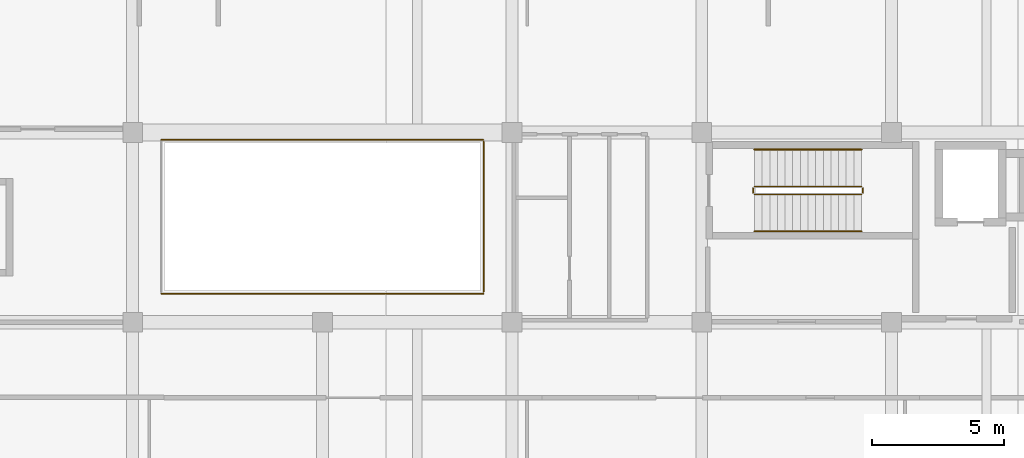
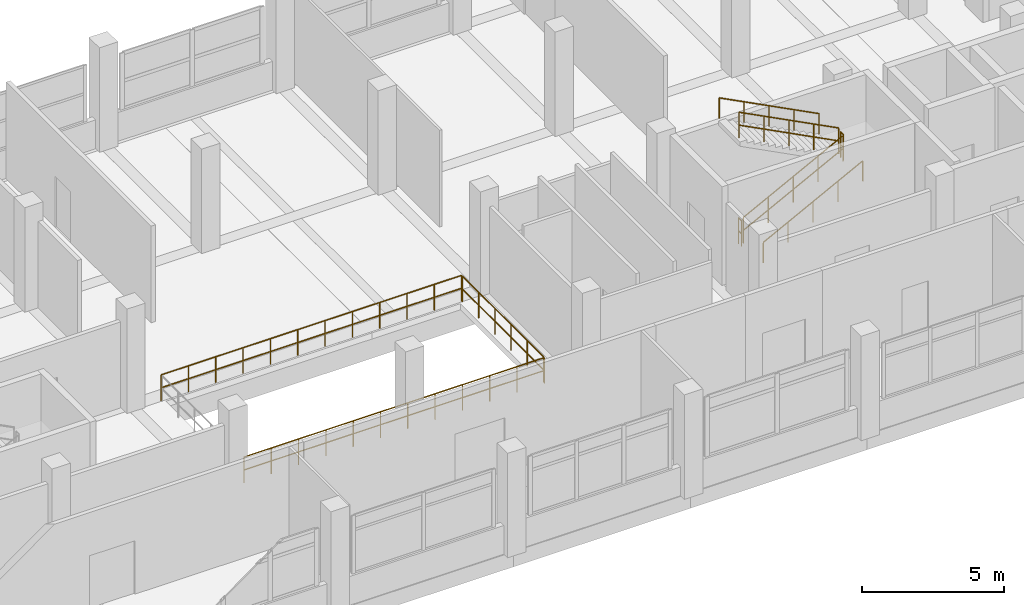
# One storey, part 137 of 141: 9 railings.
"""IFC4 building model written with IfcOpenShell, lengths in metres."""

from ifc_helpers import new_model, si_unit, direction, frame, origin, origin_2d, place, context, subcontext, project, spatial, circle, extrude, material, type_object, element, save


model = new_model("IFC4")

# Units and contexts
model_context = context("Model", 3, precision=1e-05, world=origin(), true_north=direction((0.0, 1.0)))
body_context = subcontext(model_context, "Body", "Model", "MODEL_VIEW")
ifc_project = project(units=[si_unit("LENGTHUNIT", "METRE"), si_unit("AREAUNIT", "SQUARE_METRE"), si_unit("VOLUMEUNIT", "CUBIC_METRE"), si_unit("PLANEANGLEUNIT", "RADIAN"), si_unit("MASSUNIT", "GRAM", prefix="KILO")], contexts=[model_context])

# Site, building, storey
site_placement = place(None, origin())
site = spatial("IfcSite", under=ifc_project, at=site_placement, CompositionType="ELEMENT")
building_placement = place(site_placement, origin())
building = spatial("IfcBuilding", under=site, at=building_placement, Name="Seraya Terrace Polytechnic", CompositionType="ELEMENT")
storey_placement = place(building_placement, frame((0.0, 0.0, 14.39990234375)))
storey = spatial("IfcBuildingStorey", under=building, at=storey_placement, Name="L03", CompositionType="ELEMENT", Elevation=14.39990234375)

# Railings
ifc_material = material(Name="Steel S355J2", Category="steel")
railing_type_1 = type_object("IfcRailingType", Name="GR-02", PredefinedType="GUARDRAIL", material=ifc_material)
railing_1_placement = place(storey_placement, frame((81.199951171875, 12.050048828125, 0.150146484375)))
element("IfcRailing", 1, at=railing_1_placement, inside=storey, type_object=railing_type_1, Name="L03 ST-01 stair guard 1", PredefinedType="GUARDRAIL", context=body_context, shape_type="SweptSolid", body=[
    extrude(circle(Radius=0.02392578125, at=origin_2d()), frame((0.0, 0.0, 1.10595703125), z_axis=(0.888233425583, 0.0, 0.459392404897), x_axis=(0.0, 1.0, 0.0)), (0.0, 0.0, 1.0), 4.571044921875),
    extrude(circle(Radius=0.02392578125, at=origin_2d()), frame((0.0, 0.0, 0.550048828125), z_axis=(0.888233425583, 0.0, 0.459392404897), x_axis=(0.0, 1.0, 0.0)), (0.0, 0.0, 1.0), 4.571044921875),
    extrude(circle(Radius=0.02099609375, at=origin_2d()), origin(), (0.0, 0.0, 1.0), 1.081787109375),
    extrude(circle(Radius=0.02099609375, at=origin_2d()), frame((1.01513671875, 0.0, 0.52490234375)), (0.0, 0.0, 1.0), 1.081787109375),
    extrude(circle(Radius=0.02099609375, at=origin_2d()), frame((2.030029296875, 0.0, 1.0498046875)), (0.0, 0.0, 1.0), 1.081787109375),
    extrude(circle(Radius=0.02099609375, at=origin_2d()), frame((3.044921875, 0.0, 1.574951171875)), (0.0, 0.0, 1.0), 1.081787109375),
    extrude(circle(Radius=0.02099609375, at=origin_2d()), frame((4.06005859375, 0.0, 2.099853515625)), (0.0, 0.0, 1.0), 1.081787109375),
])
railing_2_placement = place(storey_placement, frame((85.31005859375, 12.10009765625, 2.25)))
element("IfcRailing", 2, at=railing_2_placement, inside=storey, type_object=railing_type_1, Name="L03 ST-01 stair guard 2", PredefinedType="GUARDRAIL", context=body_context, shape_type="SweptSolid", body=[
    extrude(circle(Radius=0.02392578125, at=origin_2d()), frame((0.0, 0.0, 1.10595703125), z_axis=(0.0, 1.0, 0.0), x_axis=(-1.0, 0.0, 0.0)), (0.0, 0.0, 1.0), 0.199951171875),
    extrude(circle(Radius=0.02392578125, at=origin_2d()), frame((0.0, 0.0, 0.550048828125), z_axis=(0.0, 1.0, 0.0), x_axis=(-1.0, 0.0, 0.0)), (0.0, 0.0, 1.0), 0.199951171875),
    extrude(circle(Radius=0.02099609375, at=origin_2d()), origin(), (0.0, 0.0, 1.0), 1.081787109375),
    extrude(circle(Radius=0.02099609375, at=origin_2d()), frame((0.0, 0.199951171875, 0.0)), (0.0, 0.0, 1.0), 1.081787109375),
])
railing_3_placement = place(storey_placement, frame((85.260009765625, 12.35009765625, 2.400146484375)))
element("IfcRailing", 3, at=railing_3_placement, inside=storey, type_object=railing_type_1, Name="L03 ST-01 stair guard 3", PredefinedType="GUARDRAIL", context=body_context, shape_type="SweptSolid", body=[
    extrude(circle(Radius=0.02392578125, at=origin_2d()), frame((0.0, 0.0, 1.10595703125), z_axis=(-0.888233425583, 0.0, 0.459392404897), x_axis=(0.0, -1.0, 0.0)), (0.0, 0.0, 1.0), 4.571044921875),
    extrude(circle(Radius=0.02392578125, at=origin_2d()), frame((0.0, 0.0, 0.550048828125), z_axis=(-0.888233425583, 0.0, 0.459392404897), x_axis=(0.0, -1.0, 0.0)), (0.0, 0.0, 1.0), 4.571044921875),
    extrude(circle(Radius=0.02099609375, at=origin_2d()), origin(), (0.0, 0.0, 1.0), 1.081787109375),
    extrude(circle(Radius=0.02099609375, at=origin_2d()), frame((-1.01513671875, 0.0, 0.52490234375)), (0.0, 0.0, 1.0), 1.081787109375),
    extrude(circle(Radius=0.02099609375, at=origin_2d()), frame((-2.030029296875, 0.0, 1.0498046875)), (0.0, 0.0, 1.0), 1.081787109375),
    extrude(circle(Radius=0.02099609375, at=origin_2d()), frame((-3.044921875, 0.0, 1.574951171875)), (0.0, 0.0, 1.0), 1.081787109375),
    extrude(circle(Radius=0.02099609375, at=origin_2d()), frame((-4.06005859375, 0.0, 2.099853515625)), (0.0, 0.0, 1.0), 1.081787109375),
])
railing_4_placement = place(storey_placement, frame((81.14990234375, 12.10009765625, 0.0)))
element("IfcRailing", 4, at=railing_4_placement, inside=storey, type_object=railing_type_1, Name="L03 ST-01 stair guard 4", PredefinedType="GUARDRAIL", context=body_context, shape_type="SweptSolid", body=[
    extrude(circle(Radius=0.02392578125, at=origin_2d()), frame((0.0, 0.0, 1.10595703125), z_axis=(0.0, 1.0, 0.0), x_axis=(-1.0, 0.0, 0.0)), (0.0, 0.0, 1.0), 0.199951171875),
    extrude(circle(Radius=0.02392578125, at=origin_2d()), frame((0.0, 0.0, 0.550048828125), z_axis=(0.0, 1.0, 0.0), x_axis=(-1.0, 0.0, 0.0)), (0.0, 0.0, 1.0), 0.199951171875),
    extrude(circle(Radius=0.02099609375, at=origin_2d()), origin(), (0.0, 0.0, 1.0), 1.081787109375),
    extrude(circle(Radius=0.02099609375, at=origin_2d()), frame((0.0, 0.199951171875, 0.0)), (0.0, 0.0, 1.0), 1.081787109375),
])
railing_5_placement = place(storey_placement, frame((58.679931640625, 8.280029296875, 0.0)))
element("IfcRailing", 5, at=railing_5_placement, inside=storey, type_object=railing_type_1, Name="Atrium void perimeter guardrail VOID-LIB-L03 S", PredefinedType="GUARDRAIL", context=body_context, shape_type="SweptSolid", body=[
    extrude(circle(Radius=0.02392578125, at=origin_2d()), frame((0.0, 0.0, 1.10595703125), z_axis=(1.0, 0.0, 0.0), x_axis=(0.0, 1.0, 0.0)), (0.0, 0.0, 1.0), 12.239990234375),
    extrude(circle(Radius=0.02392578125, at=origin_2d()), frame((0.0, 0.0, 0.550048828125), z_axis=(1.0, 0.0, 0.0), x_axis=(0.0, 1.0, 0.0)), (0.0, 0.0, 1.0), 12.239990234375),
    extrude(circle(Radius=0.02099609375, at=origin_2d()), origin(), (0.0, 0.0, 1.0), 1.081787109375),
    extrude(circle(Radius=0.02099609375, at=origin_2d()), frame((1.11279296875, 0.0, 0.0)), (0.0, 0.0, 1.0), 1.081787109375),
    extrude(circle(Radius=0.02099609375, at=origin_2d()), frame((2.225341796875, 0.0, 0.0)), (0.0, 0.0, 1.0), 1.081787109375),
    extrude(circle(Radius=0.02099609375, at=origin_2d()), frame((3.338134765625, 0.0, 0.0)), (0.0, 0.0, 1.0), 1.081787109375),
    extrude(circle(Radius=0.02099609375, at=origin_2d()), frame((4.450927734375, 0.0, 0.0)), (0.0, 0.0, 1.0), 1.081787109375),
    extrude(circle(Radius=0.02099609375, at=origin_2d()), frame((5.563720703125, 0.0, 0.0)), (0.0, 0.0, 1.0), 1.081787109375),
    extrude(circle(Radius=0.02099609375, at=origin_2d()), frame((6.67626953125, 0.0, 0.0)), (0.0, 0.0, 1.0), 1.081787109375),
    extrude(circle(Radius=0.02099609375, at=origin_2d()), frame((7.7890625, 0.0, 0.0)), (0.0, 0.0, 1.0), 1.081787109375),
    extrude(circle(Radius=0.02099609375, at=origin_2d()), frame((8.90185546875, 0.0, 0.0)), (0.0, 0.0, 1.0), 1.081787109375),
    extrude(circle(Radius=0.02099609375, at=origin_2d()), frame((10.0146484375, 0.0, 0.0)), (0.0, 0.0, 1.0), 1.081787109375),
    extrude(circle(Radius=0.02099609375, at=origin_2d()), frame((11.127197265625, 0.0, 0.0)), (0.0, 0.0, 1.0), 1.081787109375),
    extrude(circle(Radius=0.02099609375, at=origin_2d()), frame((12.239990234375, 0.0, 0.0)), (0.0, 0.0, 1.0), 1.081787109375),
])
railing_6_placement = place(storey_placement, frame((58.679931640625, 14.1201171875, 0.0)))
element("IfcRailing", 6, at=railing_6_placement, inside=storey, type_object=railing_type_1, Name="Atrium void perimeter guardrail VOID-LIB-L03 N", PredefinedType="GUARDRAIL", context=body_context, shape_type="SweptSolid", body=[
    extrude(circle(Radius=0.02392578125, at=origin_2d()), frame((0.0, 0.0, 1.10595703125), z_axis=(1.0, 0.0, 0.0), x_axis=(0.0, 1.0, 0.0)), (0.0, 0.0, 1.0), 12.239990234375),
    extrude(circle(Radius=0.02392578125, at=origin_2d()), frame((0.0, 0.0, 0.550048828125), z_axis=(1.0, 0.0, 0.0), x_axis=(0.0, 1.0, 0.0)), (0.0, 0.0, 1.0), 12.239990234375),
    extrude(circle(Radius=0.02099609375, at=origin_2d()), origin(), (0.0, 0.0, 1.0), 1.081787109375),
    extrude(circle(Radius=0.02099609375, at=origin_2d()), frame((1.11279296875, 0.0, 0.0)), (0.0, 0.0, 1.0), 1.081787109375),
    extrude(circle(Radius=0.02099609375, at=origin_2d()), frame((2.225341796875, 0.0, 0.0)), (0.0, 0.0, 1.0), 1.081787109375),
    extrude(circle(Radius=0.02099609375, at=origin_2d()), frame((3.338134765625, 0.0, 0.0)), (0.0, 0.0, 1.0), 1.081787109375),
    extrude(circle(Radius=0.02099609375, at=origin_2d()), frame((4.450927734375, 0.0, 0.0)), (0.0, 0.0, 1.0), 1.081787109375),
    extrude(circle(Radius=0.02099609375, at=origin_2d()), frame((5.563720703125, 0.0, 0.0)), (0.0, 0.0, 1.0), 1.081787109375),
    extrude(circle(Radius=0.02099609375, at=origin_2d()), frame((6.67626953125, 0.0, 0.0)), (0.0, 0.0, 1.0), 1.081787109375),
    extrude(circle(Radius=0.02099609375, at=origin_2d()), frame((7.7890625, 0.0, 0.0)), (0.0, 0.0, 1.0), 1.081787109375),
    extrude(circle(Radius=0.02099609375, at=origin_2d()), frame((8.90185546875, 0.0, 0.0)), (0.0, 0.0, 1.0), 1.081787109375),
    extrude(circle(Radius=0.02099609375, at=origin_2d()), frame((10.0146484375, 0.0, 0.0)), (0.0, 0.0, 1.0), 1.081787109375),
    extrude(circle(Radius=0.02099609375, at=origin_2d()), frame((11.127197265625, 0.0, 0.0)), (0.0, 0.0, 1.0), 1.081787109375),
    extrude(circle(Radius=0.02099609375, at=origin_2d()), frame((12.239990234375, 0.0, 0.0)), (0.0, 0.0, 1.0), 1.081787109375),
])
railing_7_placement = place(storey_placement, frame((70.919921875, 8.340087890625, 0.0)))
element("IfcRailing", 7, at=railing_7_placement, inside=storey, type_object=railing_type_1, Name="Atrium void perimeter guardrail VOID-LIB-L03 E", PredefinedType="GUARDRAIL", context=body_context, shape_type="SweptSolid", body=[
    extrude(circle(Radius=0.02392578125, at=origin_2d()), frame((0.0, 0.0, 1.10595703125), z_axis=(0.0, 1.0, 0.0), x_axis=(-1.0, 0.0, 0.0)), (0.0, 0.0, 1.0), 5.719970703125),
    extrude(circle(Radius=0.02392578125, at=origin_2d()), frame((0.0, 0.0, 0.550048828125), z_axis=(0.0, 1.0, 0.0), x_axis=(-1.0, 0.0, 0.0)), (0.0, 0.0, 1.0), 5.719970703125),
    extrude(circle(Radius=0.02099609375, at=origin_2d()), origin(), (0.0, 0.0, 1.0), 1.081787109375),
    extrude(circle(Radius=0.02099609375, at=origin_2d()), frame((0.0, 1.14404296875, 0.0)), (0.0, 0.0, 1.0), 1.081787109375),
    extrude(circle(Radius=0.02099609375, at=origin_2d()), frame((0.0, 2.2880859375, 0.0)), (0.0, 0.0, 1.0), 1.081787109375),
    extrude(circle(Radius=0.02099609375, at=origin_2d()), frame((0.0, 3.431884765625, 0.0)), (0.0, 0.0, 1.0), 1.081787109375),
    extrude(circle(Radius=0.02099609375, at=origin_2d()), frame((0.0, 4.575927734375, 0.0)), (0.0, 0.0, 1.0), 1.081787109375),
    extrude(circle(Radius=0.02099609375, at=origin_2d()), frame((0.0, 5.719970703125, 0.0)), (0.0, 0.0, 1.0), 1.081787109375),
])
railing_type_2 = type_object("IfcRailingType", Name="HR-01", PredefinedType="HANDRAIL", material=ifc_material)
railing_8_placement = place(storey_placement, frame((81.199951171875, 10.64990234375, 0.150146484375)))
element("IfcRailing", 8, at=railing_8_placement, inside=storey, type_object=railing_type_2, Name="L03 ST-01 stair handrail 1", PredefinedType="HANDRAIL", context=body_context, shape_type="SweptSolid", body=[
    extrude(circle(Radius=0.02392578125, at=origin_2d()), frame((0.0, 0.0, 0.8759765625), z_axis=(0.888233425583, 0.0, 0.459392404897), x_axis=(0.0, 1.0, 0.0)), (0.0, 0.0, 1.0), 4.571044921875),
    extrude(circle(Radius=0.02099609375, at=origin_2d()), origin(), (0.0, 0.0, 1.0), 0.851806640625),
    extrude(circle(Radius=0.02099609375, at=origin_2d()), frame((1.01513671875, 0.0, 0.52490234375)), (0.0, 0.0, 1.0), 0.851806640625),
    extrude(circle(Radius=0.02099609375, at=origin_2d()), frame((2.030029296875, 0.0, 1.0498046875)), (0.0, 0.0, 1.0), 0.851806640625),
    extrude(circle(Radius=0.02099609375, at=origin_2d()), frame((3.044921875, 0.0, 1.574951171875)), (0.0, 0.0, 1.0), 0.851806640625),
    extrude(circle(Radius=0.02099609375, at=origin_2d()), frame((4.06005859375, 0.0, 2.099853515625)), (0.0, 0.0, 1.0), 0.851806640625),
])
railing_9_placement = place(storey_placement, frame((85.260009765625, 13.75, 2.400146484375)))
element("IfcRailing", 9, at=railing_9_placement, inside=storey, type_object=railing_type_2, Name="L03 ST-01 stair handrail 2", PredefinedType="HANDRAIL", context=body_context, shape_type="SweptSolid", body=[
    extrude(circle(Radius=0.02392578125, at=origin_2d()), frame((0.0, 0.0, 0.8759765625), z_axis=(-0.888233425583, 0.0, 0.459392404897), x_axis=(0.0, -1.0, 0.0)), (0.0, 0.0, 1.0), 4.571044921875),
    extrude(circle(Radius=0.02099609375, at=origin_2d()), origin(), (0.0, 0.0, 1.0), 0.851806640625),
    extrude(circle(Radius=0.02099609375, at=origin_2d()), frame((-1.01513671875, 0.0, 0.52490234375)), (0.0, 0.0, 1.0), 0.851806640625),
    extrude(circle(Radius=0.02099609375, at=origin_2d()), frame((-2.030029296875, 0.0, 1.0498046875)), (0.0, 0.0, 1.0), 0.851806640625),
    extrude(circle(Radius=0.02099609375, at=origin_2d()), frame((-3.044921875, 0.0, 1.574951171875)), (0.0, 0.0, 1.0), 0.851806640625),
    extrude(circle(Radius=0.02099609375, at=origin_2d()), frame((-4.06005859375, 0.0, 2.099853515625)), (0.0, 0.0, 1.0), 0.851806640625),
])

save(model, "model.ifc")
